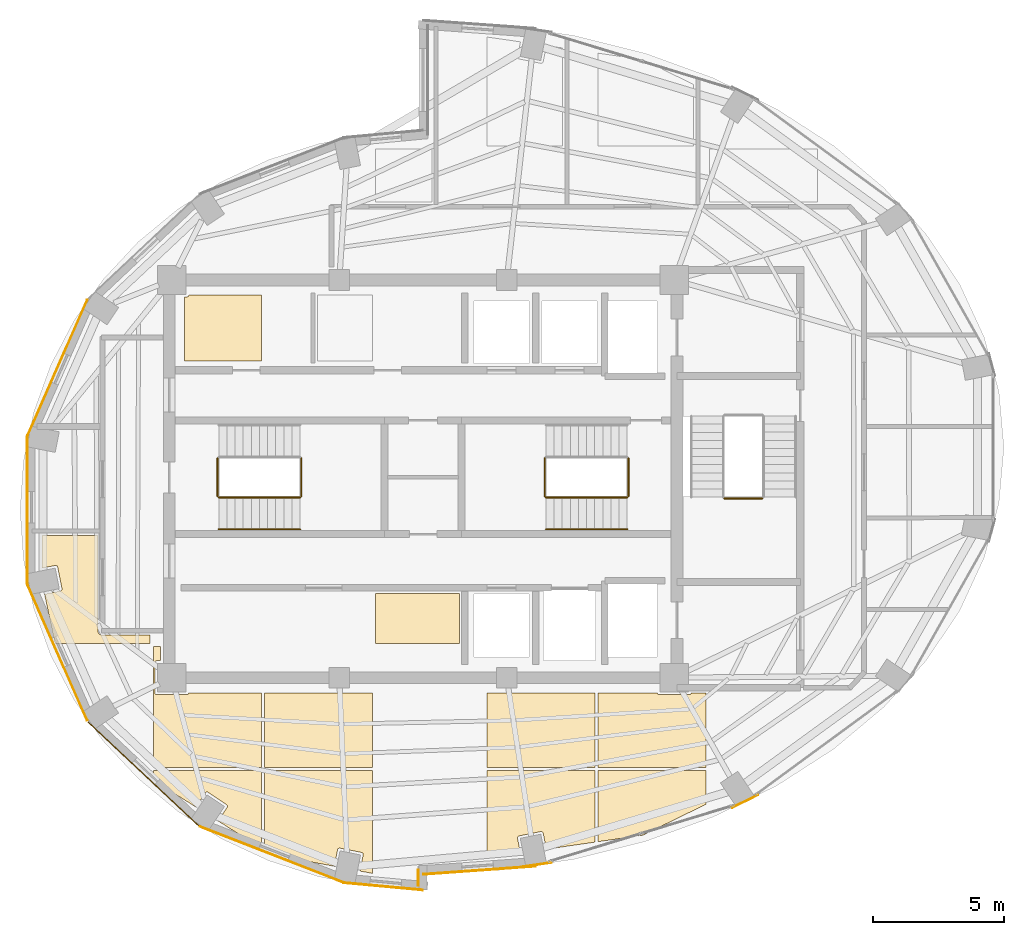
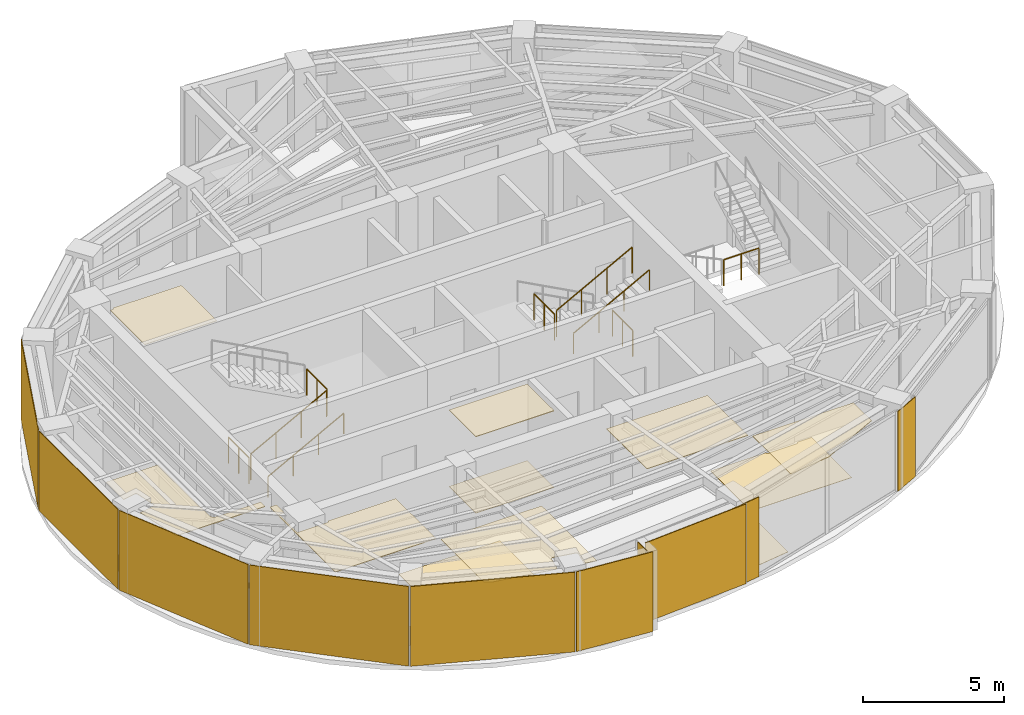
# One storey, part 12 of 13: 23 coverings, 9 railings.
"""IFC4 building model written with IfcOpenShell, lengths in metres."""

from ifc_helpers import new_model, si_unit, direction, frame, origin, origin_2d, place, context, subcontext, project, spatial, polyline, rectangle, circle, outline, extrude, material, layer, layer_set, type_object, element, save


model = new_model("IFC4")

# Units and contexts
model_context = context("Model", 3, precision=1e-05, world=origin(), true_north=direction((0.0, 1.0)))
body_context = subcontext(model_context, "Body", "Model", "MODEL_VIEW")
ifc_project = project(units=[si_unit("LENGTHUNIT", "METRE"), si_unit("AREAUNIT", "SQUARE_METRE"), si_unit("VOLUMEUNIT", "CUBIC_METRE"), si_unit("PLANEANGLEUNIT", "RADIAN"), si_unit("MASSUNIT", "GRAM", prefix="KILO")], contexts=[model_context])

# Site, building, storey
site_placement = place(None, origin())
site = spatial("IfcSite", under=ifc_project, at=site_placement, CompositionType="ELEMENT")
building_placement = place(site_placement, origin())
building = spatial("IfcBuilding", under=site, at=building_placement, Name="Lazwardi Medical Tower", CompositionType="ELEMENT")
storey_placement = place(building_placement, frame((0.0, 0.0, 273.263916015625)))
storey = spatial("IfcBuildingStorey", under=building, at=storey_placement, Name="L71", CompositionType="ELEMENT", Elevation=273.263916015625)

# Coverings
ifc_material_1 = material(Name="Anodised bronze aluminium cassette cladding", Category="aluminium")
ifc_layer_1 = layer(ifc_material_1, 0.030029296875)
ifc_layer_set_1 = layer_set([ifc_layer_1], Name="Anodised bronze aluminium cassette cladding")
covering_type_1 = type_object("IfcCoveringType", Name="COV-CLD-BRZ", PredefinedType="CLADDING", material=ifc_layer_set_1)
covering_1_placement = place(storey_placement, frame((40.3232421875, 13.25048828125, 0.0), z_axis=(0.0, 0.0, 1.0), x_axis=(0.989512431533, 0.144447733943, 0.0)))
element("IfcCovering", 1, at=covering_1_placement, inside=storey, type_object=covering_type_1, Name="L71 Mega-column bronze cassette cover M01", PredefinedType="CLADDING", context=body_context, shape_type="SweptSolid", body=[
    extrude(rectangle(XDim=1.188720703125, YDim=0.030029296875, at=origin_2d()), origin(), (0.0, 0.0, 1.0), 3.447998046875),
])
covering_2_placement = place(storey_placement, frame((48.311279296875, 15.6787109375, 0.0), z_axis=(0.0, 0.0, 1.0), x_axis=(0.897840141691, 0.440321564278, 0.0)))
element("IfcCovering", 2, at=covering_2_placement, inside=storey, type_object=covering_type_1, Name="L71 Mega-column bronze cassette cover M02", PredefinedType="CLADDING", context=body_context, shape_type="SweptSolid", body=[
    extrude(rectangle(XDim=1.110595703125, YDim=0.030029296875, at=origin_2d()), origin(), (0.0, 0.0, 1.0), 3.447998046875),
])
covering_3_placement = place(storey_placement, frame((22.032470703125, 32.25146484375, 0.0), z_axis=(0.0, 0.0, 1.0), x_axis=(-0.402877682365, -0.915253829848, 0.0)))
element("IfcCovering", 3, at=covering_3_placement, inside=storey, type_object=covering_type_1, Name="L71 West drum ceramic/bronze cladding", PredefinedType="CLADDING", context=body_context, shape_type="SweptSolid", body=[
    extrude(rectangle(XDim=5.65576171875, YDim=0.030029296875, at=origin_2d()), origin(), (0.0, 0.0, 1.0), 3.447998046875),
])
covering_4_placement = place(storey_placement, frame((20.880126953125, 26.800048828125, 0.0), z_axis=(0.0, 0.0, 1.0), x_axis=(0.0, -1.0, 0.0)))
element("IfcCovering", 4, at=covering_4_placement, inside=storey, type_object=covering_type_1, Name="L71 West drum ceramic/bronze cladding", PredefinedType="CLADDING", context=body_context, shape_type="SweptSolid", body=[
    extrude(rectangle(XDim=5.60302734375, YDim=0.030029296875, at=origin_2d()), origin(), (0.0, 0.0, 1.0), 3.447998046875),
])
covering_5_placement = place(storey_placement, frame((22.032470703125, 21.3486328125, 0.0), z_axis=(0.0, 0.0, 1.0), x_axis=(0.402877682365, -0.915253829848, 0.0)))
element("IfcCovering", 5, at=covering_5_placement, inside=storey, type_object=covering_type_1, Name="L71 West drum ceramic/bronze cladding", PredefinedType="CLADDING", context=body_context, shape_type="SweptSolid", body=[
    extrude(rectangle(XDim=5.65576171875, YDim=0.030029296875, at=origin_2d()), origin(), (0.0, 0.0, 1.0), 3.447998046875),
])
covering_6_placement = place(storey_placement, frame((25.31201171875, 16.7294921875, 0.0), z_axis=(0.0, 0.0, 1.0), x_axis=(0.728254960063, -0.685306291481, 0.0)))
element("IfcCovering", 6, at=covering_6_placement, inside=storey, type_object=covering_type_1, Name="L71 West drum ceramic/bronze cladding", PredefinedType="CLADDING", context=body_context, shape_type="SweptSolid", body=[
    extrude(rectangle(XDim=5.78125, YDim=0.030029296875, at=origin_2d()), origin(), (0.0, 0.0, 1.0), 3.447998046875),
])
ifc_material_2 = material(Name="Turquoise glazed ceramic tilework cladding", Category="masonry")
ifc_layer_2 = layer(ifc_material_2, 0.034912109375)
ifc_layer_set_2 = layer_set([ifc_layer_2], Name="Turquoise glazed ceramic tilework cladding")
covering_type_2 = type_object("IfcCoveringType", Name="COV-CLD-TRQ", PredefinedType="CLADDING", material=ifc_layer_set_2)
covering_7_placement = place(storey_placement, frame((30.216064453125, 13.64306640625, 0.0), z_axis=(0.0, 0.0, 1.0), x_axis=(0.931720388261, -0.363176428337, 0.0)))
element("IfcCovering", 7, at=covering_7_placement, inside=storey, type_object=covering_type_2, Name="L71 West drum ceramic/bronze cladding", PredefinedType="CLADDING", context=body_context, shape_type="SweptSolid", body=[
    extrude(rectangle(XDim=5.904052734375, YDim=0.034912109375, at=origin_2d()), origin(), (0.0, 0.0, 1.0), 3.447998046875),
])
covering_8_placement = place(storey_placement, frame((38.16259765625, 13.0400390625, 0.0), z_axis=(0.0, 0.0, 1.0), x_axis=(0.997409491337, 0.071932653157, 0.0)))
element("IfcCovering", 8, at=covering_8_placement, inside=storey, type_object=covering_type_2, Name="L71 Turquoise glazed ceramic tilework cladding", PredefinedType="CLADDING", context=body_context, shape_type="SweptSolid", body=[
    extrude(rectangle(XDim=4.31103515625, YDim=0.034912109375, at=origin_2d()), origin(), (0.0, 0.0, 1.0), 3.447998046875),
])
covering_9_placement = place(storey_placement, frame((34.4970703125, 12.423095703125, 0.0), z_axis=(0.0, 0.0, 1.0), x_axis=(0.995733560537, -0.092275004312, 0.0)))
element("IfcCovering", 9, at=covering_9_placement, inside=storey, type_object=covering_type_2, Name="L71 Turquoise glazed ceramic tilework cladding", PredefinedType="CLADDING", context=body_context, shape_type="SweptSolid", body=[
    extrude(rectangle(XDim=2.985595703125, YDim=0.034912109375, at=origin_2d()), origin(), (0.0, 0.0, 1.0), 3.447998046875),
])
covering_10_placement = place(storey_placement, frame((35.824462890625, 12.760009765625, 0.0), z_axis=(0.0, 0.0, 1.0), x_axis=(0.0, 1.0, 0.0)))
element("IfcCovering", 10, at=covering_10_placement, inside=storey, type_object=covering_type_2, Name="L71 Turquoise glazed ceramic tilework iwan panel", PredefinedType="CLADDING", context=body_context, shape_type="SweptSolid", body=[
    extrude(rectangle(XDim=0.60009765625, YDim=0.034912109375, at=origin_2d()), origin(), (0.0, 0.0, 1.0), 3.447998046875),
])
ifc_material_3 = material(Name="Acoustic mineral fibre tile")
ifc_layer_3 = layer(ifc_material_3, 0.02490234375)
ifc_layer_set_3 = layer_set([ifc_layer_3], Name="Acoustic mineral fibre tile")
covering_type_3 = type_object("IfcCoveringType", Name="COV-CLG-01", PredefinedType="CEILING", material=ifc_layer_set_3)
covering_11_placement = place(storey_placement, frame((0.0, 0.0, 3.302978515625)))
element("IfcCovering", 11, at=covering_11_placement, inside=storey, type_object=covering_type_3, Name="L71 Clinical Acoustic Ceiling 1", PredefinedType="CEILING", context=body_context, shape_type="SweptSolid", body=[
    extrude(outline(polyline([(25.57177734375, 22.02490234375), (23.75, 22.02490234375), (23.74560546875, 22.025146484375), (23.736328125, 22.025634765625), (23.7294921875, 22.0263671875), (23.72021484375, 22.027587890625), (23.7119140625, 22.029296875), (23.702880859375, 22.031494140625), (23.69580078125, 22.03369140625), (23.68701171875, 22.03662109375), (23.67919921875, 22.0400390625), (23.6708984375, 22.0439453125), (23.6640625, 22.047607421875), (23.656005859375, 22.052490234375), (23.6494140625, 22.056884765625), (23.641845703125, 22.0625), (23.63623046875, 22.067138671875), (23.62939453125, 22.0732421875), (23.623291015625, 22.079345703125), (23.6171875, 22.086181640625), (23.612548828125, 22.091796875), (23.60693359375, 22.099365234375), (23.602294921875, 22.10595703125), (23.59765625, 22.114013671875), (23.593994140625, 22.120849609375), (23.590087890625, 22.129150390625), (23.586669921875, 22.136962890625), (23.58349609375, 22.145751953125), (23.58154296875, 22.15283203125), (23.5791015625, 22.161865234375), (23.57763671875, 22.17041015625), (23.576416015625, 22.179443359375), (23.57568359375, 22.186279296875), (23.5751953125, 22.19580078125), (23.574951171875, 22.199951171875), (23.574951171875, 25.8349609375), (21.44189453125, 25.8349609375), (21.44189453125, 24.589599609375), (21.94580078125, 24.689697265625), (21.95361328125, 24.69091796875), (21.96142578125, 24.69140625), (21.96923828125, 24.69091796875), (21.97705078125, 24.689697265625), (21.984619140625, 24.68798828125), (21.9921875, 24.685302734375), (21.999267578125, 24.681884765625), (22.005859375, 24.677734375), (22.01220703125, 24.673095703125), (22.01806640625, 24.66796875), (22.023193359375, 24.662109375), (22.028076171875, 24.65576171875), (22.031982421875, 24.64892578125), (22.035400390625, 24.641845703125), (22.0380859375, 24.634521484375), (22.0400390625, 24.626953125), (22.203857421875, 23.802978515625), (22.205078125, 23.79541015625), (22.205322265625, 23.78759765625), (22.205078125, 23.77978515625), (22.203857421875, 23.77197265625), (22.201904296875, 23.764404296875), (22.19921875, 23.7568359375), (22.196044921875, 23.749755859375), (22.19189453125, 23.7431640625), (22.187255859375, 23.73681640625), (22.181884765625, 23.73095703125), (22.17626953125, 23.7255859375), (22.169921875, 23.720947265625), (22.1630859375, 23.716796875), (22.156005859375, 23.713623046875), (22.148681640625, 23.7109375), (22.14111328125, 23.708984375), (21.54052734375, 23.589599609375), (21.9365234375, 21.71630859375), (25.57177734375, 21.71630859375), (25.57177734375, 22.02490234375)])), origin(), (0.0, 0.0, 1.0), 0.025146484375),
])
covering_12_placement = place(storey_placement, frame((0.0, 0.0, 3.302978515625)))
element("IfcCovering", 12, at=covering_12_placement, inside=storey, type_object=covering_type_3, Name="L71 Clinical Acoustic Ceiling 2", PredefinedType="CEILING", context=body_context, shape_type="SweptSolid", body=[
    extrude(outline(polyline([(29.82177734375, 19.820068359375), (27.04931640625, 19.820068359375), (27.048583984375, 19.814453125), (27.046630859375, 19.806884765625), (27.0439453125, 19.79931640625), (27.04052734375, 19.792236328125), (27.03662109375, 19.78564453125), (27.03173828125, 19.779296875), (27.026611328125, 19.7734375), (27.020751953125, 19.768310546875), (27.014404296875, 19.763427734375), (27.0078125, 19.759521484375), (27.00048828125, 19.756103515625), (26.9931640625, 19.75341796875), (26.985595703125, 19.75146484375), (26.977783203125, 19.75048828125), (26.969970703125, 19.75), (25.830078125, 19.75), (25.822265625, 19.75048828125), (25.814453125, 19.75146484375), (25.806884765625, 19.75341796875), (25.79931640625, 19.756103515625), (25.792236328125, 19.759521484375), (25.78564453125, 19.763427734375), (25.779296875, 19.768310546875), (25.7734375, 19.7734375), (25.768310546875, 19.779296875), (25.763427734375, 19.78564453125), (25.759521484375, 19.792236328125), (25.756103515625, 19.79931640625), (25.75341796875, 19.806884765625), (25.75146484375, 19.814453125), (25.75048828125, 19.822265625), (25.75, 19.830078125), (25.75, 20.969970703125), (25.75048828125, 20.977783203125), (25.75146484375, 20.985595703125), (25.75341796875, 20.9931640625), (25.756103515625, 21.00048828125), (25.759521484375, 21.0078125), (25.763427734375, 21.014404296875), (25.768310546875, 21.020751953125), (25.7734375, 21.026611328125), (25.779296875, 21.03173828125), (25.78564453125, 21.03662109375), (25.792236328125, 21.04052734375), (25.79931640625, 21.0439453125), (25.806884765625, 21.046630859375), (25.814453125, 21.048583984375), (25.822265625, 21.049560546875), (25.830078125, 21.050048828125), (25.969970703125, 21.050048828125), (25.969970703125, 21.596435546875), (25.69189453125, 21.596435546875), (25.69189453125, 16.96630859375), (29.82177734375, 16.96630859375), (29.82177734375, 19.820068359375)])), origin(), (0.0, 0.0, 1.0), 0.025146484375),
])
covering_13_placement = place(storey_placement, frame((0.0, 0.0, 3.302978515625)))
element("IfcCovering", 13, at=covering_13_placement, inside=storey, type_object=covering_type_3, Name="L71 Clinical Acoustic Ceiling 3", PredefinedType="CEILING", context=body_context, shape_type="SweptSolid", body=[
    extrude(outline(polyline([(29.82177734375, 35.02001953125), (27.04931640625, 35.02001953125), (27.048583984375, 35.014404296875), (27.046630859375, 35.0068359375), (27.0439453125, 34.99951171875), (27.04052734375, 34.9921875), (27.03662109375, 34.985595703125), (27.03173828125, 34.979248046875), (27.026611328125, 34.973388671875), (27.020751953125, 34.96826171875), (27.014404296875, 34.96337890625), (27.0078125, 34.95947265625), (27.00048828125, 34.9560546875), (26.9931640625, 34.953369140625), (26.985595703125, 34.951416015625), (26.977783203125, 34.950439453125), (26.969970703125, 34.949951171875), (26.8798828125, 34.949951171875), (26.8798828125, 32.5), (29.82177734375, 32.5), (29.82177734375, 35.02001953125)])), origin(), (0.0, 0.0, 1.0), 0.025146484375),
])
covering_14_placement = place(storey_placement, frame((0.0, 0.0, 3.302978515625)))
element("IfcCovering", 14, at=covering_14_placement, inside=storey, type_object=covering_type_3, Name="L71 Clinical Acoustic Ceiling 4", PredefinedType="CEILING", context=body_context, shape_type="SweptSolid", body=[
    extrude(outline(polyline([(29.94189453125, 13.8115234375), (30.205322265625, 13.645751953125), (32.608642578125, 13.196044921875), (32.7333984375, 13.82373046875), (32.7353515625, 13.831298828125), (32.738037109375, 13.838623046875), (32.741455078125, 13.845703125), (32.74560546875, 13.8525390625), (32.750244140625, 13.85888671875), (32.75537109375, 13.86474609375), (32.76123046875, 13.869873046875), (32.767578125, 13.87451171875), (32.7744140625, 13.878662109375), (32.781494140625, 13.882080078125), (32.788818359375, 13.884765625), (32.79638671875, 13.88671875), (32.80419921875, 13.8876953125), (32.81201171875, 13.88818359375), (32.81982421875, 13.8876953125), (32.82763671875, 13.88671875), (33.6513671875, 13.72265625), (33.658935546875, 13.720703125), (33.66650390625, 13.718017578125), (33.673583984375, 13.71484375), (33.68017578125, 13.710693359375), (33.6865234375, 13.7060546875), (33.6923828125, 13.70068359375), (33.697509765625, 13.695068359375), (33.702392578125, 13.688720703125), (33.706298828125, 13.681884765625), (33.709716796875, 13.6748046875), (33.71240234375, 13.66748046875), (33.71435546875, 13.659912109375), (33.71533203125, 13.652099609375), (33.7158203125, 13.644287109375), (33.71533203125, 13.636474609375), (33.71435546875, 13.628662109375), (33.591552734375, 13.01220703125), (34.07177734375, 12.922119140625), (34.07177734375, 16.846435546875), (29.94189453125, 16.846435546875), (29.94189453125, 13.8115234375)])), origin(), (0.0, 0.0, 1.0), 0.025146484375),
])
covering_15_placement = place(storey_placement, frame((0.0, 0.0, 3.302978515625)))
element("IfcCovering", 15, at=covering_15_placement, inside=storey, type_object=covering_type_3, Name="L71 Clinical Acoustic Ceiling 5", PredefinedType="CEILING", context=body_context, shape_type="SweptSolid", body=[
    extrude(outline(polyline([(37.389892578125, 21.71630859375), (37.389892578125, 23.6201171875), (34.19189453125, 23.6201171875), (34.19189453125, 21.71630859375), (37.389892578125, 21.71630859375)])), origin(), (0.0, 0.0, 1.0), 0.025146484375),
])
covering_16_placement = place(storey_placement, frame((0.0, 0.0, 3.302978515625)))
element("IfcCovering", 16, at=covering_16_placement, inside=storey, type_object=covering_type_3, Name="L71 Clinical Acoustic Ceiling 7", PredefinedType="CEILING", context=body_context, shape_type="SweptSolid", body=[
    extrude(outline(polyline([(42.57177734375, 19.820068359375), (38.44189453125, 19.820068359375), (38.44189453125, 16.96630859375), (42.57177734375, 16.96630859375), (42.57177734375, 19.820068359375)])), origin(), (0.0, 0.0, 1.0), 0.025146484375),
])
covering_17_placement = place(storey_placement, frame((0.0, 0.0, 3.302978515625)))
element("IfcCovering", 17, at=covering_17_placement, inside=storey, type_object=covering_type_3, Name="L71 Clinical Acoustic Ceiling 8", PredefinedType="CEILING", context=body_context, shape_type="SweptSolid", body=[
    extrude(outline(polyline([(42.69189453125, 14.13525390625), (44.40283203125, 14.384521484375), (46.82177734375, 15.567626953125), (46.82177734375, 16.846435546875), (42.69189453125, 16.846435546875), (42.69189453125, 14.13525390625)])), origin(), (0.0, 0.0, 1.0), 0.025146484375),
])
ifc_material_4 = material(Name="Anti-static hospital vinyl sheet flooring")
ifc_layer_4 = layer(ifc_material_4, 0.014892578125)
ifc_layer_set_4 = layer_set([ifc_layer_4], Name="Anti-static hospital vinyl sheet flooring")
covering_type_4 = type_object("IfcCoveringType", Name="COV-FLR-01", PredefinedType="FLOORING", material=ifc_layer_set_4)
covering_18_placement = place(storey_placement, origin())
element("IfcCovering", 18, at=covering_18_placement, inside=storey, type_object=covering_type_4, Name="L71 Clinical Vinyl Flooring 1", PredefinedType="FLOORING", context=body_context, shape_type="SweptSolid", body=[
    extrude(outline(polyline([(25.57177734375, 22.02490234375), (23.75, 22.02490234375), (23.74560546875, 22.025146484375), (23.736328125, 22.025634765625), (23.7294921875, 22.0263671875), (23.72021484375, 22.027587890625), (23.7119140625, 22.029296875), (23.702880859375, 22.031494140625), (23.69580078125, 22.03369140625), (23.68701171875, 22.03662109375), (23.67919921875, 22.0400390625), (23.6708984375, 22.0439453125), (23.6640625, 22.047607421875), (23.656005859375, 22.052490234375), (23.6494140625, 22.056884765625), (23.641845703125, 22.0625), (23.63623046875, 22.067138671875), (23.62939453125, 22.0732421875), (23.623291015625, 22.079345703125), (23.6171875, 22.086181640625), (23.612548828125, 22.091796875), (23.60693359375, 22.099365234375), (23.602294921875, 22.10595703125), (23.59765625, 22.114013671875), (23.593994140625, 22.120849609375), (23.590087890625, 22.129150390625), (23.586669921875, 22.136962890625), (23.58349609375, 22.145751953125), (23.58154296875, 22.15283203125), (23.5791015625, 22.161865234375), (23.57763671875, 22.17041015625), (23.576416015625, 22.179443359375), (23.57568359375, 22.186279296875), (23.5751953125, 22.19580078125), (23.574951171875, 22.199951171875), (23.574951171875, 25.8349609375), (21.44189453125, 25.8349609375), (21.44189453125, 24.589599609375), (21.94580078125, 24.689697265625), (21.95361328125, 24.69091796875), (21.96142578125, 24.69140625), (21.96923828125, 24.69091796875), (21.97705078125, 24.689697265625), (21.984619140625, 24.68798828125), (21.9921875, 24.685302734375), (21.999267578125, 24.681884765625), (22.005859375, 24.677734375), (22.01220703125, 24.673095703125), (22.01806640625, 24.66796875), (22.023193359375, 24.662109375), (22.028076171875, 24.65576171875), (22.031982421875, 24.64892578125), (22.035400390625, 24.641845703125), (22.0380859375, 24.634521484375), (22.0400390625, 24.626953125), (22.203857421875, 23.802978515625), (22.205078125, 23.79541015625), (22.205322265625, 23.78759765625), (22.205078125, 23.77978515625), (22.203857421875, 23.77197265625), (22.201904296875, 23.764404296875), (22.19921875, 23.7568359375), (22.196044921875, 23.749755859375), (22.19189453125, 23.7431640625), (22.187255859375, 23.73681640625), (22.181884765625, 23.73095703125), (22.17626953125, 23.7255859375), (22.169921875, 23.720947265625), (22.1630859375, 23.716796875), (22.156005859375, 23.713623046875), (22.148681640625, 23.7109375), (22.14111328125, 23.708984375), (21.54052734375, 23.589599609375), (21.9365234375, 21.71630859375), (25.57177734375, 21.71630859375), (25.57177734375, 22.02490234375)])), origin(), (0.0, 0.0, 1.0), 0.01513671875),
])
covering_19_placement = place(storey_placement, origin())
element("IfcCovering", 19, at=covering_19_placement, inside=storey, type_object=covering_type_4, Name="L71 Clinical Vinyl Flooring 2", PredefinedType="FLOORING", context=body_context, shape_type="SweptSolid", body=[
    extrude(outline(polyline([(25.69189453125, 16.4833984375), (27.32080078125, 15.458984375), (27.6787109375, 15.994384765625), (27.683349609375, 16.000732421875), (27.6884765625, 16.006591796875), (27.6943359375, 16.01171875), (27.70068359375, 16.016357421875), (27.70751953125, 16.0205078125), (27.714599609375, 16.023681640625), (27.721923828125, 16.026611328125), (27.7294921875, 16.0283203125), (27.7373046875, 16.029541015625), (27.7451171875, 16.02978515625), (27.7529296875, 16.029541015625), (27.7607421875, 16.0283203125), (27.768310546875, 16.026611328125), (27.775634765625, 16.023681640625), (27.78271484375, 16.0205078125), (27.78955078125, 16.016357421875), (28.48779296875, 15.5498046875), (28.494384765625, 15.544921875), (28.5, 15.539794921875), (28.50537109375, 15.533935546875), (28.510009765625, 15.527587890625), (28.51416015625, 15.52099609375), (28.517333984375, 15.513916015625), (28.52001953125, 15.50634765625), (28.52197265625, 15.498779296875), (28.523193359375, 15.490966796875), (28.5234375, 15.483154296875), (28.523193359375, 15.475341796875), (28.52197265625, 15.467529296875), (28.52001953125, 15.4599609375), (28.517333984375, 15.45263671875), (28.51416015625, 15.445556640625), (28.510009765625, 15.438720703125), (28.167724609375, 14.926513671875), (29.82177734375, 13.886962890625), (29.82177734375, 16.846435546875), (25.69189453125, 16.846435546875), (25.69189453125, 16.4833984375)])), origin(), (0.0, 0.0, 1.0), 0.01513671875),
])
covering_20_placement = place(storey_placement, origin())
element("IfcCovering", 20, at=covering_20_placement, inside=storey, type_object=covering_type_4, Name="L71 Clinical Vinyl Flooring 3", PredefinedType="FLOORING", context=body_context, shape_type="SweptSolid", body=[
    extrude(outline(polyline([(34.07177734375, 19.820068359375), (29.94189453125, 19.820068359375), (29.94189453125, 16.96630859375), (34.07177734375, 16.96630859375), (34.07177734375, 19.820068359375)])), origin(), (0.0, 0.0, 1.0), 0.01513671875),
])
covering_21_placement = place(storey_placement, origin())
element("IfcCovering", 21, at=covering_21_placement, inside=storey, type_object=covering_type_4, Name="L71 Clinical Vinyl Flooring 5", PredefinedType="FLOORING", context=body_context, shape_type="SweptSolid", body=[
    extrude(outline(polyline([(37.389892578125, 21.71630859375), (37.389892578125, 23.6201171875), (34.19189453125, 23.6201171875), (34.19189453125, 21.71630859375), (37.389892578125, 21.71630859375)])), origin(), (0.0, 0.0, 1.0), 0.01513671875),
])
covering_22_placement = place(storey_placement, origin())
element("IfcCovering", 22, at=covering_22_placement, inside=storey, type_object=covering_type_4, Name="L71 Clinical Vinyl Flooring 7", PredefinedType="FLOORING", context=body_context, shape_type="SweptSolid", body=[
    extrude(outline(polyline([(38.44189453125, 13.516357421875), (39.723876953125, 13.703125), (39.6123046875, 14.26318359375), (39.611328125, 14.27099609375), (39.61083984375, 14.27880859375), (39.611328125, 14.28662109375), (39.6123046875, 14.29443359375), (39.6142578125, 14.302001953125), (39.616943359375, 14.309326171875), (39.620361328125, 14.31640625), (39.62451171875, 14.3232421875), (39.629150390625, 14.32958984375), (39.63427734375, 14.33544921875), (39.64013671875, 14.340576171875), (39.646484375, 14.34521484375), (39.6533203125, 14.349365234375), (39.660400390625, 14.352783203125), (39.667724609375, 14.35546875), (39.67529296875, 14.357421875), (40.4990234375, 14.521240234375), (40.5068359375, 14.522216796875), (40.5146484375, 14.522705078125), (40.5224609375, 14.522216796875), (40.5302734375, 14.521240234375), (40.537841796875, 14.519287109375), (40.54541015625, 14.5166015625), (40.552490234375, 14.51318359375), (40.55908203125, 14.50927734375), (40.5654296875, 14.50439453125), (40.5712890625, 14.499267578125), (40.576416015625, 14.493408203125), (40.581298828125, 14.4873046875), (40.585205078125, 14.48046875), (40.588623046875, 14.473388671875), (40.59130859375, 14.4658203125), (40.59326171875, 14.458251953125), (40.714599609375, 13.847412109375), (42.57177734375, 14.117919921875), (42.57177734375, 16.846435546875), (38.44189453125, 16.846435546875), (38.44189453125, 13.516357421875)])), origin(), (0.0, 0.0, 1.0), 0.01513671875),
])
covering_23_placement = place(storey_placement, origin())
element("IfcCovering", 23, at=covering_23_placement, inside=storey, type_object=covering_type_4, Name="L71 Clinical Vinyl Flooring 9", PredefinedType="FLOORING", context=body_context, shape_type="SweptSolid", body=[
    extrude(outline(polyline([(46.82177734375, 19.820068359375), (46.249267578125, 19.820068359375), (46.24853515625, 19.814453125), (46.24658203125, 19.806884765625), (46.243896484375, 19.79931640625), (46.240478515625, 19.792236328125), (46.236572265625, 19.78564453125), (46.231689453125, 19.779296875), (46.2265625, 19.7734375), (46.220703125, 19.768310546875), (46.21435546875, 19.763427734375), (46.207763671875, 19.759521484375), (46.20068359375, 19.756103515625), (46.193115234375, 19.75341796875), (46.185546875, 19.75146484375), (46.177734375, 19.75048828125), (46.169921875, 19.75), (45.030029296875, 19.75), (45.022216796875, 19.75048828125), (45.014404296875, 19.75146484375), (45.0068359375, 19.75341796875), (44.99951171875, 19.756103515625), (44.9921875, 19.759521484375), (44.985595703125, 19.763427734375), (44.979248046875, 19.768310546875), (44.973388671875, 19.7734375), (44.96826171875, 19.779296875), (44.96337890625, 19.78564453125), (44.95947265625, 19.792236328125), (44.9560546875, 19.79931640625), (44.953369140625, 19.806884765625), (44.951416015625, 19.814453125), (44.95068359375, 19.820068359375), (42.69189453125, 19.820068359375), (42.69189453125, 16.96630859375), (46.82177734375, 16.96630859375), (46.82177734375, 19.820068359375)])), origin(), (0.0, 0.0, 1.0), 0.01513671875),
])

# Railings
ifc_material_5 = material(Name="Stainless steel Grade 316", Category="steel")
railing_type_1 = type_object("IfcRailingType", Name="RLG-GRD-1150", PredefinedType="GUARDRAIL", material=ifc_material_5)
railing_1_placement = place(storey_placement, frame((28.199951171875, 27.2900390625, 0.166015625)))
element("IfcRailing", 24, at=railing_1_placement, inside=storey, type_object=railing_type_1, Name="L71 ST1 stair guard 1", PredefinedType="GUARDRAIL", context=body_context, shape_type="SweptSolid", body=[
    extrude(circle(Radius=0.02392578125, at=origin_2d()), frame((0.0, 0.0, 1.1259765625), z_axis=(0.881812178953, 0.0, 0.471600764472), x_axis=(0.0, 1.0, 0.0)), (0.0, 0.0, 1.0), 3.515625),
    extrude(circle(Radius=0.02099609375, at=origin_2d()), origin(), (0.0, 0.0, 1.0), 1.099853515625),
    extrude(circle(Radius=0.02099609375, at=origin_2d()), frame((1.033447265625, 0.0, 0.552734375)), (0.0, 0.0, 1.0), 1.099853515625),
    extrude(circle(Radius=0.02099609375, at=origin_2d()), frame((2.066650390625, 0.0, 1.105224609375)), (0.0, 0.0, 1.0), 1.099853515625),
    extrude(circle(Radius=0.02099609375, at=origin_2d()), frame((3.10009765625, 0.0, 1.657958984375)), (0.0, 0.0, 1.0), 1.099853515625),
])
for number, where, name in (
    (25, (31.35009765625, 27.340087890625, 1.823974609375), "L71 ST1 stair guard 2"),
    (26, (28.14990234375, 27.340087890625, 0.0), "L71 ST1 stair guard 4"),
):
    element("IfcRailing", number, at=place(storey_placement, frame(where)), inside=storey, type_object=railing_type_1, Name=name, PredefinedType="GUARDRAIL", context=body_context, shape_type="SweptSolid", body=[
        extrude(circle(Radius=0.02392578125, at=origin_2d()), frame((0.0, 0.0, 1.1259765625), z_axis=(0.0, 1.0, 0.0), x_axis=(-1.0, 0.0, 0.0)), (0.0, 0.0, 1.0), 1.43994140625),
        extrude(circle(Radius=0.02099609375, at=origin_2d()), origin(), (0.0, 0.0, 1.0), 1.099853515625),
        extrude(circle(Radius=0.02099609375, at=origin_2d()), frame((0.0, 0.719970703125, 0.0)), (0.0, 0.0, 1.0), 1.099853515625),
        extrude(circle(Radius=0.02099609375, at=origin_2d()), frame((0.0, 1.43994140625, 0.0)), (0.0, 0.0, 1.0), 1.099853515625),
    ])
railing_2_placement = place(storey_placement, frame((40.64990234375, 28.780029296875, 1.823974609375)))
element("IfcRailing", 27, at=railing_2_placement, inside=storey, type_object=railing_type_1, Name="L71 ST2 stair guard 2", PredefinedType="GUARDRAIL", context=body_context, shape_type="SweptSolid", body=[
    extrude(circle(Radius=0.02392578125, at=origin_2d()), frame((0.0, 0.0, 1.1259765625), z_axis=(0.0, -1.0, 0.0), x_axis=(1.0, 0.0, 0.0)), (0.0, 0.0, 1.0), 1.43994140625),
    extrude(circle(Radius=0.02099609375, at=origin_2d()), origin(), (0.0, 0.0, 1.0), 1.099853515625),
    extrude(circle(Radius=0.02099609375, at=origin_2d()), frame((0.0, -0.719970703125, 0.0)), (0.0, 0.0, 1.0), 1.099853515625),
    extrude(circle(Radius=0.02099609375, at=origin_2d()), frame((0.0, -1.43994140625, 0.0)), (0.0, 0.0, 1.0), 1.099853515625),
])
railing_3_placement = place(storey_placement, frame((40.699951171875, 27.2900390625, 1.989990234375)))
element("IfcRailing", 28, at=railing_3_placement, inside=storey, type_object=railing_type_1, Name="L71 ST2 stair guard 3", PredefinedType="GUARDRAIL", context=body_context, shape_type="SweptSolid", body=[
    extrude(circle(Radius=0.02392578125, at=origin_2d()), frame((0.0, 0.0, 1.1259765625), z_axis=(0.881783298633, 0.0, 0.471654761719), x_axis=(0.0, 1.0, 0.0)), (0.0, 0.0, 1.0), 3.515625),
    extrude(circle(Radius=0.02099609375, at=origin_2d()), origin(), (0.0, 0.0, 1.0), 1.099853515625),
    extrude(circle(Radius=0.02099609375, at=origin_2d()), frame((1.033447265625, 0.0, 0.552734375)), (0.0, 0.0, 1.0), 1.099853515625),
    extrude(circle(Radius=0.02099609375, at=origin_2d()), frame((2.066650390625, 0.0, 1.10546875)), (0.0, 0.0, 1.0), 1.099853515625),
    extrude(circle(Radius=0.02099609375, at=origin_2d()), frame((3.10009765625, 0.0, 1.658203125)), (0.0, 0.0, 1.0), 1.099853515625),
])
railing_4_placement = place(storey_placement, frame((43.85009765625, 28.780029296875, 0.0)))
element("IfcRailing", 29, at=railing_4_placement, inside=storey, type_object=railing_type_1, Name="L71 ST2 stair guard 4", PredefinedType="GUARDRAIL", context=body_context, shape_type="SweptSolid", body=[
    extrude(circle(Radius=0.02392578125, at=origin_2d()), frame((0.0, 0.0, 1.1259765625), z_axis=(0.0, -1.0, 0.0), x_axis=(1.0, 0.0, 0.0)), (0.0, 0.0, 1.0), 1.43994140625),
    extrude(circle(Radius=0.02099609375, at=origin_2d()), origin(), (0.0, 0.0, 1.0), 1.099853515625),
    extrude(circle(Radius=0.02099609375, at=origin_2d()), frame((0.0, -0.719970703125, 0.0)), (0.0, 0.0, 1.0), 1.099853515625),
    extrude(circle(Radius=0.02099609375, at=origin_2d()), frame((0.0, -1.43994140625, 0.0)), (0.0, 0.0, 1.0), 1.099853515625),
])
railing_5_placement = place(storey_placement, frame((47.52001953125, 27.25, 1.823974609375)))
element("IfcRailing", 30, at=railing_5_placement, inside=storey, type_object=railing_type_1, Name="L71 ST3 stair guard 2", PredefinedType="GUARDRAIL", context=body_context, shape_type="SweptSolid", body=[
    extrude(circle(Radius=0.02392578125, at=origin_2d()), frame((0.0, 0.0, 1.1259765625), z_axis=(1.0, 0.0, 0.0), x_axis=(0.0, 1.0, 0.0)), (0.0, 0.0, 1.0), 1.43994140625),
    extrude(circle(Radius=0.02099609375, at=origin_2d()), origin(), (0.0, 0.0, 1.0), 1.099853515625),
    extrude(circle(Radius=0.02099609375, at=origin_2d()), frame((0.719970703125, 0.0, 0.0)), (0.0, 0.0, 1.0), 1.099853515625),
    extrude(circle(Radius=0.02099609375, at=origin_2d()), frame((1.43994140625, 0.0, 0.0)), (0.0, 0.0, 1.0), 1.099853515625),
])
railing_type_2 = type_object("IfcRailingType", Name="RLG-HND-920", PredefinedType="HANDRAIL", material=ifc_material_5)
railing_6_placement = place(storey_placement, frame((28.199951171875, 26.070068359375, 0.166015625)))
element("IfcRailing", 31, at=railing_6_placement, inside=storey, type_object=railing_type_2, Name="L71 ST1 stair handrail 1", PredefinedType="HANDRAIL", context=body_context, shape_type="SweptSolid", body=[
    extrude(circle(Radius=0.02392578125, at=origin_2d()), frame((0.0, 0.0, 0.8857421875), z_axis=(0.881812178953, 0.0, 0.471600764472), x_axis=(0.0, 1.0, 0.0)), (0.0, 0.0, 1.0), 3.515625),
    extrude(circle(Radius=0.02099609375, at=origin_2d()), origin(), (0.0, 0.0, 1.0), 0.85986328125),
    extrude(circle(Radius=0.02099609375, at=origin_2d()), frame((1.033447265625, 0.0, 0.552734375)), (0.0, 0.0, 1.0), 0.85986328125),
    extrude(circle(Radius=0.02099609375, at=origin_2d()), frame((2.066650390625, 0.0, 1.105224609375)), (0.0, 0.0, 1.0), 0.85986328125),
    extrude(circle(Radius=0.02099609375, at=origin_2d()), frame((3.10009765625, 0.0, 1.657958984375)), (0.0, 0.0, 1.0), 0.85986328125),
])
railing_7_placement = place(storey_placement, frame((40.699951171875, 26.070068359375, 1.989990234375)))
element("IfcRailing", 32, at=railing_7_placement, inside=storey, type_object=railing_type_2, Name="L71 ST2 stair handrail 2", PredefinedType="HANDRAIL", context=body_context, shape_type="SweptSolid", body=[
    extrude(circle(Radius=0.02392578125, at=origin_2d()), frame((0.0, 0.0, 0.8857421875), z_axis=(0.881783298633, 0.0, 0.471654761719), x_axis=(0.0, 1.0, 0.0)), (0.0, 0.0, 1.0), 3.515625),
    extrude(circle(Radius=0.02099609375, at=origin_2d()), origin(), (0.0, 0.0, 1.0), 0.85986328125),
    extrude(circle(Radius=0.02099609375, at=origin_2d()), frame((1.033447265625, 0.0, 0.552734375)), (0.0, 0.0, 1.0), 0.85986328125),
    extrude(circle(Radius=0.02099609375, at=origin_2d()), frame((2.066650390625, 0.0, 1.10546875)), (0.0, 0.0, 1.0), 0.85986328125),
    extrude(circle(Radius=0.02099609375, at=origin_2d()), frame((3.10009765625, 0.0, 1.658203125)), (0.0, 0.0, 1.0), 0.85986328125),
])

save(model, "model.ifc")
